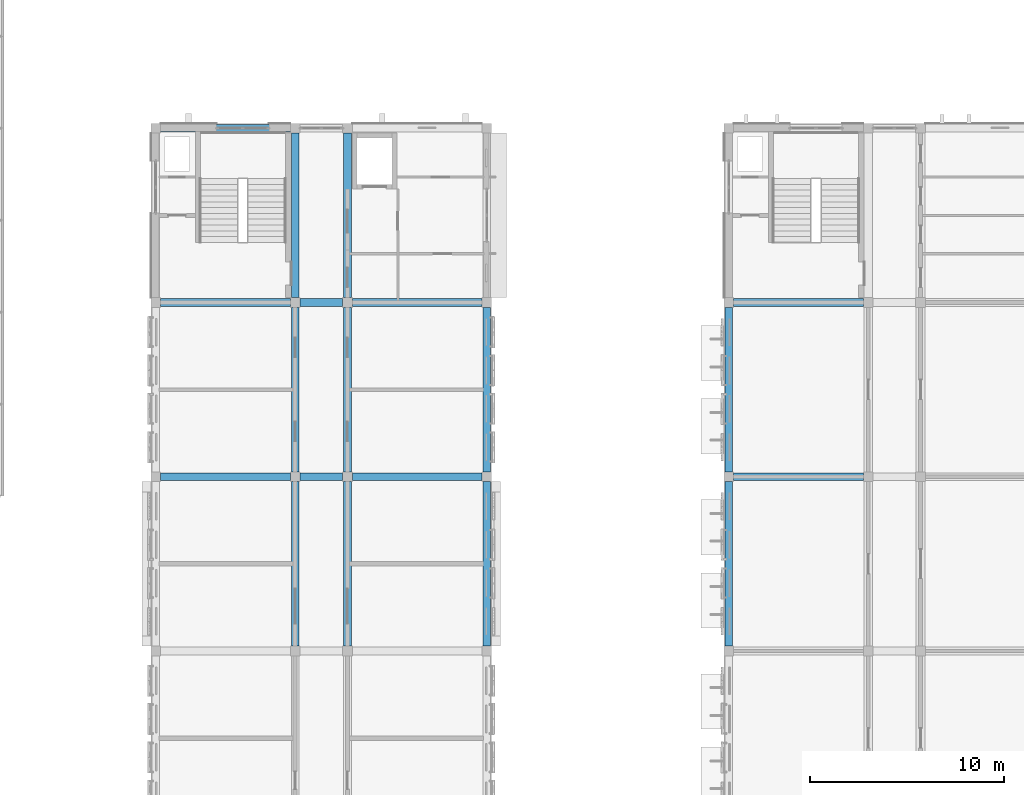
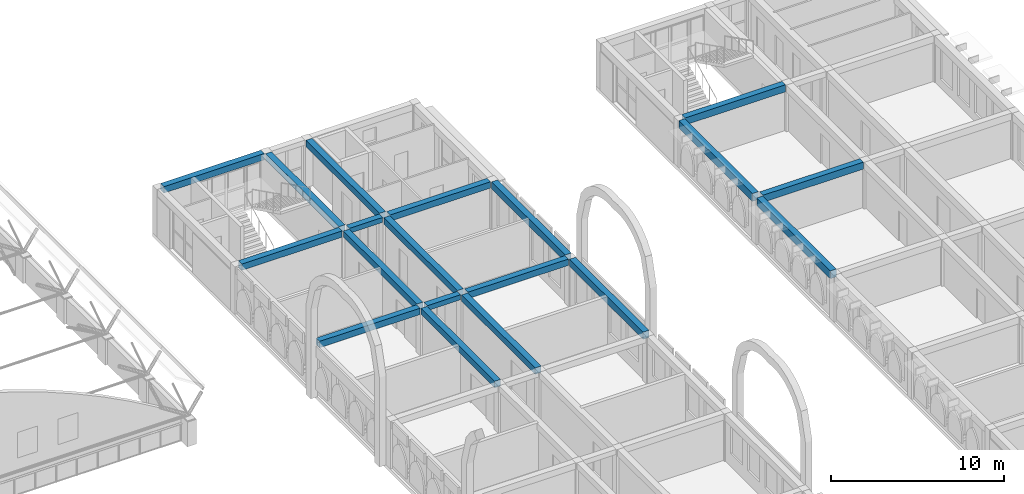
# One storey, part 26 of 65: 19 beams.
"""IFC4 building model written with IfcOpenShell, lengths in metres."""

from ifc_helpers import new_model, si_unit, direction, frame, origin, origin_2d, place, context, subcontext, project, spatial, rectangle, extrude, material, material_profile, profile_set, type_object, element, save


model = new_model("IFC4")

# Units and contexts
model_context = context("Model", 3, precision=1e-05, world=origin(), true_north=direction((0.0, 1.0)))
body_context = subcontext(model_context, "Body", "Model", "MODEL_VIEW")
ifc_project = project(units=[si_unit("LENGTHUNIT", "METRE"), si_unit("AREAUNIT", "SQUARE_METRE"), si_unit("VOLUMEUNIT", "CUBIC_METRE"), si_unit("PLANEANGLEUNIT", "RADIAN"), si_unit("MASSUNIT", "GRAM", prefix="KILO")], contexts=[model_context])

# Site, building, storey
site_placement = place(None, origin())
site = spatial("IfcSite", under=ifc_project, at=site_placement, CompositionType="ELEMENT")
building_placement = place(site_placement, origin())
building = spatial("IfcBuilding", under=site, at=building_placement, Name="Elbe Cascade School", CompositionType="ELEMENT")
storey_placement = place(building_placement, frame((0.0, 0.0, 11.699951171875)))
storey = spatial("IfcBuildingStorey", under=building, at=storey_placement, Name="L03", CompositionType="ELEMENT", Elevation=11.699951171875)

# Beams
ifc_material_1 = material(Name="Concrete C30/37", Category="concrete")
ifc_material_profile_1 = material_profile(ifc_material_1, rectangle(XDim=0.39990234375, YDim=0.35009765625, at=origin_2d()), Name="RC 400x350")
ifc_profile_set_1 = profile_set([ifc_material_profile_1], Name="Concrete C30/37")
beam_type_1 = type_object("IfcBeamType", Name="RC 400x350 beam", PredefinedType="BEAM", material=ifc_profile_set_1)
for number, where, z_axis, x_axis, name in (
    (1, (76.449951171875, 42.0, 3.175048828125), (1.0, 0.0, 0.0), (0.0, 1.0, 0.0), "RC 400x350 beam B3"),
    (2, (76.449951171875, 51.0, 3.175048828125), (1.0, 0.0, 0.0), (0.0, 1.0, 0.0), "RC 400x350 beam B3"),
):
    element("IfcBeam", number, at=place(storey_placement, frame(where, z_axis=z_axis, x_axis=x_axis)), inside=storey, type_object=beam_type_1, Name=name, PredefinedType="BEAM", context=body_context, shape_type="SweptSolid", body=[
        extrude(rectangle(XDim=0.39990234375, YDim=0.35009765625, at=origin_2d()), origin(), (0.0, 0.0, 1.0), 2.199951171875),
    ])
ifc_material_2 = material(Name="Concrete C30/37", Category="concrete")
ifc_material_profile_2 = material_profile(ifc_material_2, rectangle(XDim=0.39990234375, YDim=0.449951171875, at=origin_2d()), Name="RC 400x450")
ifc_profile_set_2 = profile_set([ifc_material_profile_2], Name="Concrete C30/37")
beam_type_2 = type_object("IfcBeamType", Name="RC 400x450 beam", PredefinedType="BEAM", material=ifc_profile_set_2)
for number, where, z_axis, x_axis, name in (
    (3, (76.199951171875, 33.25, 3.125), (0.0, 1.0, 0.0), (-1.0, 0.0, 0.0), "RC 400x450 beam B2"),
    (4, (76.199951171875, 42.25, 3.125), (0.0, 1.0, 0.0), (-1.0, 0.0, 0.0), "RC 400x450 beam B2"),
    (5, (76.199951171875, 51.25, 3.125), (0.0, 1.0, 0.0), (-1.0, 0.0, 0.0), "RC 400x450 beam B2"),
    (6, (78.89990234375, 33.25, 3.125), (0.0, 1.0, 0.0), (-1.0, 0.0, 0.0), "RC 400x450 beam B2"),
    (7, (78.89990234375, 42.25, 3.125), (0.0, 1.0, 0.0), (-1.0, 0.0, 0.0), "RC 400x450 beam B2"),
    (8, (78.89990234375, 51.25, 3.125), (0.0, 1.0, 0.0), (-1.0, 0.0, 0.0), "RC 400x450 beam B2"),
):
    element("IfcBeam", number, at=place(storey_placement, frame(where, z_axis=z_axis, x_axis=x_axis)), inside=storey, type_object=beam_type_2, Name=name, PredefinedType="BEAM", context=body_context, shape_type="SweptSolid", body=[
        extrude(rectangle(XDim=0.39990234375, YDim=0.449951171875, at=origin_2d()), origin(), (0.0, 0.0, 1.0), 8.5),
    ])
beam_1_placement = place(storey_placement, frame((69.25, 42.0, 3.125), z_axis=(1.0, 0.0, 0.0), x_axis=(0.0, 1.0, 0.0)))
element("IfcBeam", 9, at=beam_1_placement, inside=storey, type_object=beam_type_2, Name="RC 400x450 beam B2", PredefinedType="BEAM", context=body_context, shape_type="SweptSolid", body=[
    extrude(rectangle(XDim=0.39990234375, YDim=0.449951171875, at=origin_2d()), origin(), (0.0, 0.0, 1.0), 6.699951171875),
])
beam_2_placement = place(storey_placement, frame((79.14990234375, 42.0, 3.125), z_axis=(1.0, 0.0, 0.0), x_axis=(0.0, 1.0, 0.0)))
element("IfcBeam", 10, at=beam_2_placement, inside=storey, type_object=beam_type_2, Name="RC 400x450 beam B2", PredefinedType="BEAM", context=body_context, shape_type="SweptSolid", body=[
    extrude(rectangle(XDim=0.39990234375, YDim=0.449951171875, at=origin_2d()), origin(), (0.0, 0.0, 1.0), 6.7001953125),
])
beam_3_placement = place(storey_placement, frame((69.25, 51.0, 3.125), z_axis=(1.0, 0.0, 0.0), x_axis=(0.0, 1.0, 0.0)))
element("IfcBeam", 11, at=beam_3_placement, inside=storey, type_object=beam_type_2, Name="RC 400x450 beam B2", PredefinedType="BEAM", context=body_context, shape_type="SweptSolid", body=[
    extrude(rectangle(XDim=0.39990234375, YDim=0.449951171875, at=origin_2d()), origin(), (0.0, 0.0, 1.0), 6.699951171875),
])
beam_4_placement = place(storey_placement, frame((79.14990234375, 51.0, 3.125), z_axis=(1.0, 0.0, 0.0), x_axis=(0.0, 1.0, 0.0)))
element("IfcBeam", 12, at=beam_4_placement, inside=storey, type_object=beam_type_2, Name="RC 400x450 beam B2", PredefinedType="BEAM", context=body_context, shape_type="SweptSolid", body=[
    extrude(rectangle(XDim=0.39990234375, YDim=0.449951171875, at=origin_2d()), origin(), (0.0, 0.0, 1.0), 6.7001953125),
])
beam_5_placement = place(storey_placement, frame((69.25, 60.0, 3.125), z_axis=(1.0, 0.0, 0.0), x_axis=(0.0, 1.0, 0.0)))
element("IfcBeam", 13, at=beam_5_placement, inside=storey, type_object=beam_type_2, Name="RC 400x450 beam B2", PredefinedType="BEAM", context=body_context, shape_type="SweptSolid", body=[
    extrude(rectangle(XDim=0.39990234375, YDim=0.449951171875, at=origin_2d()), origin(), (0.0, 0.0, 1.0), 6.699951171875),
])
ifc_material_3 = material(Name="Concrete C30/37", Category="concrete")
ifc_material_profile_3 = material_profile(ifc_material_3, rectangle(XDim=0.39990234375, YDim=0.5, at=origin_2d()), Name="RC 400x500")
ifc_profile_set_3 = profile_set([ifc_material_profile_3], Name="Concrete C30/37")
beam_type_3 = type_object("IfcBeamType", Name="RC 400x500 beam", PredefinedType="BEAM", material=ifc_profile_set_3)
for number, where, z_axis, x_axis, name in (
    (14, (86.10009765625, 33.25, 3.10009765625), (0.0, 1.0, 0.0), (-1.0, 0.0, 0.0), "RC 400x500 beam B1"),
    (15, (86.10009765625, 42.25, 3.10009765625), (0.0, 1.0, 0.0), (-1.0, 0.0, 0.0), "RC 400x500 beam B1"),
):
    element("IfcBeam", number, at=place(storey_placement, frame(where, z_axis=z_axis, x_axis=x_axis)), inside=storey, type_object=beam_type_3, Name=name, PredefinedType="BEAM", context=body_context, shape_type="SweptSolid", body=[
        extrude(rectangle(XDim=0.39990234375, YDim=0.5, at=origin_2d()), origin(), (0.0, 0.0, 1.0), 8.5),
    ])
for number, where, z_axis, x_axis, name in (
    (16, (98.85009765625, 42.0, 3.050048828125), (1.0, 0.0, 0.0), (0.0, 1.0, 0.0), "RC 400x500 beam B1"),
    (17, (98.85009765625, 51.0, 3.050048828125), (1.0, 0.0, 0.0), (0.0, 1.0, 0.0), "RC 400x500 beam B1"),
):
    element("IfcBeam", number, at=place(storey_placement, frame(where, z_axis=z_axis, x_axis=x_axis)), inside=storey, type_object=beam_type_3, Name=name, PredefinedType="BEAM", context=body_context, shape_type="SweptSolid", body=[
        extrude(rectangle(XDim=0.39990234375, YDim=0.5, at=origin_2d()), origin(), (0.0, 0.0, 1.0), 6.699951171875),
    ])
ifc_material_4 = material(Name="Concrete C30/37", Category="concrete")
ifc_material_profile_4 = material_profile(ifc_material_4, rectangle(XDim=0.39990234375, YDim=0.550048828125, at=origin_2d()), Name="RC 400x550")
ifc_profile_set_4 = profile_set([ifc_material_profile_4], Name="Concrete C30/37")
beam_type_4 = type_object("IfcBeamType", Name="RC 400x550 beam", PredefinedType="BEAM", material=ifc_profile_set_4)
for number, where, z_axis, x_axis, name in (
    (18, (98.60009765625, 33.25, 3.025146484375), (0.0, 1.0, 0.0), (-1.0, 0.0, 0.0), "RC 400x550 beam B4"),
    (19, (98.60009765625, 42.25, 3.025146484375), (0.0, 1.0, 0.0), (-1.0, 0.0, 0.0), "RC 400x550 beam B4"),
):
    element("IfcBeam", number, at=place(storey_placement, frame(where, z_axis=z_axis, x_axis=x_axis)), inside=storey, type_object=beam_type_4, Name=name, PredefinedType="BEAM", context=body_context, shape_type="SweptSolid", body=[
        extrude(rectangle(XDim=0.39990234375, YDim=0.550048828125, at=origin_2d()), origin(), (0.0, 0.0, 1.0), 8.5),
    ])

save(model, "model.ifc")
